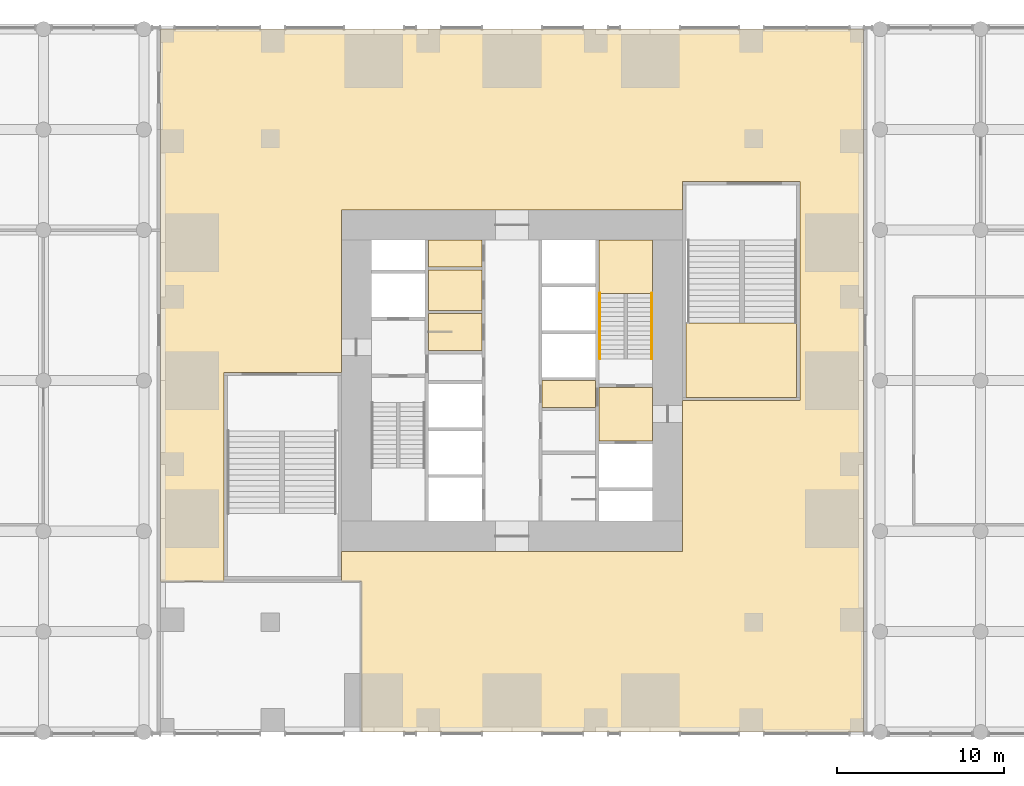
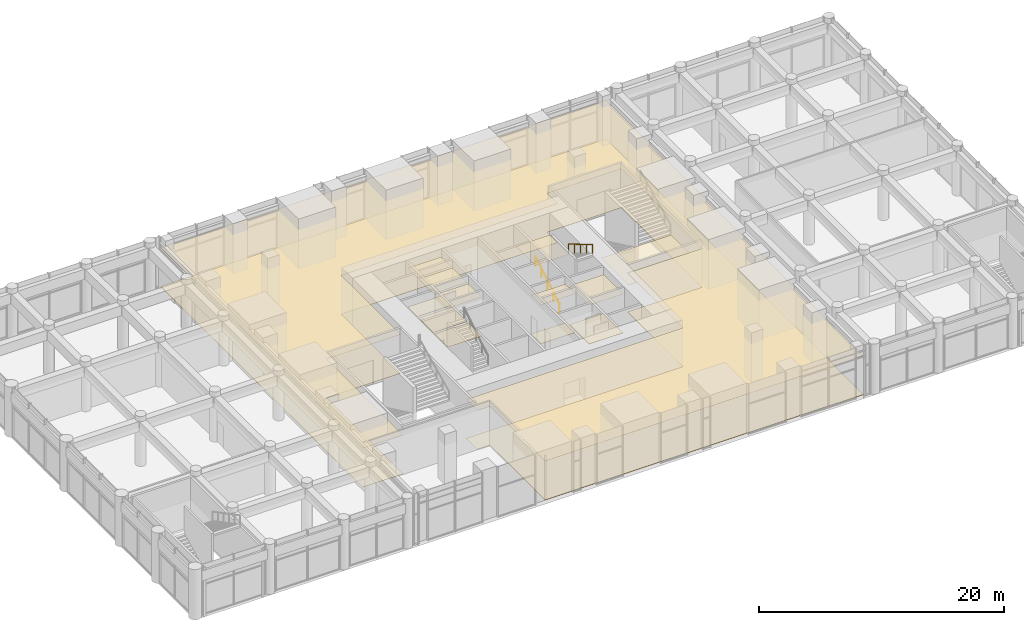
# One storey, part 21 of 23: 14 coverings, 2 railings.
"""IFC4 building model written with IfcOpenShell, lengths in metres."""

import ifcopenshell
import ifcopenshell.guid

model = None  # the IFC model being written
_history = None  # IfcOwnerHistory: only IFC2X3 demands one
_inside = {}  # id of a spatial element -> (the spatial element, [elements in it])
_under = {}  # id of a project, library or spatial element -> (it, [spatial elements below it])
_declared = {}  # id of a project -> (the project, [libraries it declares])
_typed = {}  # id of a type object -> (the type object, [elements of that type])
_made_of = {}  # id of a material, layer set ... -> (it, [elements and type objects made of it])


def new_model(schema):
    """Start an empty IFC model of exactly this schema.

    Asked for "IFC4X3", IfcOpenShell would pick the latest addendum, in which some entities
    have other attributes; the version numbers below select the first issue.
    IFC2X3 requires an IfcOwnerHistory on every rooted entity: one is made here for all.
    """
    global model, _history
    if schema == "IFC4X3":
        model = ifcopenshell.file(schema_version=(4, 3, 0, 0))
    else:
        model = ifcopenshell.file(schema=schema)
    _inside.clear()
    _under.clear()
    _declared.clear()
    _typed.clear()
    _made_of.clear()
    _history = None
    if model.schema == "IFC2X3":
        org = make("IfcOrganization", Name="unknown")
        user = make(
            "IfcPersonAndOrganization",
            ThePerson=make("IfcPerson", FamilyName="unknown"),
            TheOrganization=org,
        )
        app = make(
            "IfcApplication",
            ApplicationDeveloper=org,
            Version="unknown",
            ApplicationFullName="unknown",
            ApplicationIdentifier="unknown",
        )
        _history = make(
            "IfcOwnerHistory",
            OwningUser=user,
            OwningApplication=app,
            ChangeAction="ADDED",
            CreationDate=0,
        )
    return model


def make(cls, **values):
    """One entity of the class cls with the attributes given. An attribute that is None is left unset."""
    return model.create_entity(
        cls, **{name: value for name, value in values.items() if value is not None}
    )


def rooted(cls, **values):
    """An entity with a GlobalId (a new one), such as an element, a storey or a relation."""
    return make(cls, GlobalId=ifcopenshell.guid.new(), OwnerHistory=_history, **values)


def si_unit(unit_type, name, prefix=None):
    """IfcSIUnit, for example si_unit("LENGTHUNIT", "METRE", prefix="MILLI")."""
    return make("IfcSIUnit", UnitType=unit_type, Prefix=prefix, Name=name)


def assignment(units):
    """IfcUnitAssignment: the units of a project."""
    return None if units is None else make("IfcUnitAssignment", Units=units)


def point(xyz):
    """IfcCartesianPoint."""
    return None if xyz is None else make("IfcCartesianPoint", Coordinates=xyz)


def direction(xyz):
    """IfcDirection."""
    return None if xyz is None else make("IfcDirection", DirectionRatios=xyz)


def frame(location, z_axis=None, x_axis=None):
    """IfcAxis2Placement3D, a coordinate frame: its origin and axes. An axis left out is left unset."""
    return make(
        "IfcAxis2Placement3D",
        Location=point(location),
        Axis=direction(z_axis),
        RefDirection=direction(x_axis),
    )


def frame_2d(location, x_axis=None):
    """IfcAxis2Placement2D, a coordinate frame in the plane: its origin and x axis."""
    return make(
        "IfcAxis2Placement2D", Location=point(location), RefDirection=direction(x_axis)
    )


def origin():
    """The frame at (0, 0, 0) with its axes left unset."""
    return frame((0.0, 0.0, 0.0))


def origin_2d():
    """The frame at (0, 0) in the plane with its x axis left unset."""
    return frame_2d((0.0, 0.0))


def place(relative_to, where):
    """IfcLocalPlacement: puts the frame where relative to a parent placement (None: the world)."""
    return make(
        "IfcLocalPlacement", PlacementRelTo=relative_to, RelativePlacement=where
    )


def context(
    kind, dimensions, precision=None, world=None, true_north=None, identifier=None
):
    """IfcGeometricRepresentationContext, for example the 3D "Model" context."""
    return make(
        "IfcGeometricRepresentationContext",
        ContextIdentifier=identifier,
        ContextType=kind,
        CoordinateSpaceDimension=dimensions,
        Precision=precision,
        WorldCoordinateSystem=world,
        TrueNorth=true_north,
    )


def subcontext(parent, identifier, kind, view, scale=None):
    """IfcGeometricRepresentationSubContext, for example "Body" below "Model"."""
    return make(
        "IfcGeometricRepresentationSubContext",
        ContextIdentifier=identifier,
        ContextType=kind,
        ParentContext=parent,
        TargetScale=scale,
        TargetView=view,
    )


def project(units=None, contexts=None):
    """IfcProject with its units and contexts."""
    return rooted(
        "IfcProject",
        Name="project",
        RepresentationContexts=contexts,
        UnitsInContext=assignment(units),
    )


def spatial(cls, under=None, at=None, **own):
    """A site, building, storey or space (cls), placed at a placement, below another one or the project."""
    s = rooted(cls, ObjectPlacement=at, **own)
    if under is not None:
        _under.setdefault(under.id(), (under, []))[1].append(s)
    return s


def polyline(points):
    """IfcPolyline through the points."""
    return make("IfcPolyline", Points=[point(p) for p in points])


def profile(cls, at=None, kind="AREA", **sizes):
    """A parametric profile (cls). Its sizes go by their IFC names, for example OverallWidth=200.0."""
    return make(cls, ProfileType=kind, Position=at, **sizes)


def circle(**sizes):
    """IfcCircleProfileDef."""
    return profile("IfcCircleProfileDef", **sizes)


def outline(outer, holes=None, kind="AREA"):
    """IfcArbitraryClosedProfileDef: a profile drawn as a closed curve; with holes, ...WithVoids."""
    if holes is None:
        return make("IfcArbitraryClosedProfileDef", ProfileType=kind, OuterCurve=outer)
    return make(
        "IfcArbitraryProfileDefWithVoids",
        ProfileType=kind,
        OuterCurve=outer,
        InnerCurves=holes,
    )


def extrude(swept, where, along, depth):
    """IfcExtrudedAreaSolid: the profile swept, set in the frame where, extruded along a direction by depth."""
    return make(
        "IfcExtrudedAreaSolid",
        SweptArea=swept,
        Position=where,
        ExtrudedDirection=direction(along),
        Depth=depth,
    )


def shape(context_of_items, identifier, shape_type, items):
    """IfcShapeRepresentation: the items that make up one representation, for example the "Body"."""
    return make(
        "IfcShapeRepresentation",
        ContextOfItems=context_of_items,
        RepresentationIdentifier=identifier,
        RepresentationType=shape_type,
        Items=items,
    )


def material(Name=None, Category=None):
    """IfcMaterial."""
    return make("IfcMaterial", Name=Name, Category=Category)


def layer(
    of_material, thickness, ventilated=None, Name=None, Category=None, Priority=None
):
    """IfcMaterialLayer: one layer of a wall or slab, of a material (None: an air gap)."""
    return make(
        "IfcMaterialLayer",
        Material=of_material,
        LayerThickness=thickness,
        IsVentilated=ventilated,
        Name=Name,
        Category=Category,
        Priority=Priority,
    )


def layer_set(layers, Name=None):
    """IfcMaterialLayerSet."""
    return make("IfcMaterialLayerSet", MaterialLayers=layers, LayerSetName=Name)


def made_of(thing, what):
    """Note that an element or type object is made of a material, layer set ...; save() writes the relation."""
    if what is not None:
        _made_of.setdefault(what.id(), (what, []))[1].append(thing)
    return thing


def type_object(cls, material=None, **own):
    """A type object (cls), such as IfcWallType, which elements share."""
    return made_of(rooted(cls, **own), material)


def element(
    cls,
    number,
    at=None,
    inside=None,
    cuts=None,
    type_object=None,
    material=None,
    context=None,
    identifier="Body",
    shape_type=None,
    held_by="IfcProductDefinitionShape",
    body=None,
    shapes=None,
    **own,
):
    """One element of the class cls, such as IfcWall. Its Tag is "e" and its number.

    at: its placement. inside: the storey or other place that contains it. cuts: it is an
    opening in that element (IfcRelVoidsElement). A single representation is given by context,
    identifier, shape_type and body (its items); several are given by shapes. held_by: the class
    of the entity that holds the representations. save() writes the other relations.
    """
    e = rooted(cls, Tag="e%d" % number, ObjectPlacement=at, **own)
    if body is not None:
        shapes = [shape(context, identifier, shape_type, body)]
    if shapes is not None:
        e.Representation = make(held_by, Representations=shapes)
    if inside is not None:
        _inside.setdefault(inside.id(), (inside, []))[1].append(e)
    if cuts is not None:
        rooted(
            "IfcRelVoidsElement", RelatingBuildingElement=cuts, RelatedOpeningElement=e
        )
    if type_object is not None:
        _typed.setdefault(type_object.id(), (type_object, []))[1].append(e)
    return made_of(e, material)


def aggregate(whole, parts):
    """IfcRelAggregates: a whole, such as a stair, and the parts it consists of."""
    return rooted("IfcRelAggregates", RelatingObject=whole, RelatedObjects=parts)


def save(model, path):
    """Write the relations noted so far, then the file.

    IfcRelAggregates (storeys below a building ...), IfcRelContainedInSpatialStructure (elements
    in a storey), IfcRelDefinesByType, IfcRelAssociatesMaterial and IfcRelDeclares: one each for
    every whole, place, type object, material and project.
    """
    for whole, parts in _under.values():
        aggregate(whole, parts)
    for where, things in _inside.values():
        rooted(
            "IfcRelContainedInSpatialStructure",
            RelatedElements=things,
            RelatingStructure=where,
        )
    for kind, things in _typed.values():
        rooted("IfcRelDefinesByType", RelatedObjects=things, RelatingType=kind)
    for what, things in _made_of.values():
        rooted("IfcRelAssociatesMaterial", RelatedObjects=things, RelatingMaterial=what)
    for by, libraries in _declared.values():
        rooted("IfcRelDeclares", RelatingContext=by, RelatedDefinitions=libraries)
    model.write(path)


model = new_model("IFC4")

# Units and contexts
model_context = context("Model", 3, precision=1e-05, world=origin(), true_north=direction((0.0, 1.0)))
body_context = subcontext(model_context, "Body", "Model", "MODEL_VIEW")
ifc_project = project(units=[si_unit("LENGTHUNIT", "METRE"), si_unit("AREAUNIT", "SQUARE_METRE"), si_unit("VOLUMEUNIT", "CUBIC_METRE"), si_unit("PLANEANGLEUNIT", "RADIAN"), si_unit("MASSUNIT", "GRAM", prefix="KILO")], contexts=[model_context])

# Site, building, storey
site_placement = place(None, origin())
site = spatial("IfcSite", under=ifc_project, at=site_placement, CompositionType="ELEMENT")
building_placement = place(site_placement, origin())
building = spatial("IfcBuilding", under=site, at=building_placement, Name="Svetlomir Tower", CompositionType="ELEMENT")
storey_placement = place(building_placement, frame((0.0, 0.0, 6.0)))
storey = spatial("IfcBuildingStorey", under=building, at=storey_placement, Name="L01", CompositionType="ELEMENT", Elevation=6.0)

# Coverings
ifc_material_1 = material(Name="Ceramic floor tile", Category="ceramic")
ifc_layer_1 = layer(ifc_material_1, 0.014892578125)
ifc_layer_set_1 = layer_set([ifc_layer_1], Name="Ceramic floor tile")
covering_type_1 = type_object("IfcCoveringType", Name="CERAMIC TILE FLOOR 15", PredefinedType="FLOORING", material=ifc_layer_set_1)
covering_1_placement = place(storey_placement, origin())
element("IfcCovering", 1, at=covering_1_placement, inside=storey, type_object=covering_type_1, Name="Floor finish L01-04", PredefinedType="FLOORING", context=body_context, shape_type="SweptSolid", body=[
    extrude(outline(polyline([(16.0, 22.800048828125), (19.199951171875, 22.800048828125), (19.199951171875, 25.0), (16.0, 25.0), (16.0, 22.800048828125)])), origin(), (0.0, 0.0, 1.0), 0.014892578125),
])
covering_2_placement = place(storey_placement, origin())
element("IfcCovering", 2, at=covering_2_placement, inside=storey, type_object=covering_type_1, Name="Floor finish L01-05", PredefinedType="FLOORING", context=body_context, shape_type="SweptSolid", body=[
    extrude(outline(polyline([(16.0, 25.199951171875), (19.199951171875, 25.199951171875), (19.199951171875, 27.60009765625), (16.0, 27.60009765625), (16.0, 25.199951171875)])), origin(), (0.0, 0.0, 1.0), 0.014892578125),
])

# Railings
ifc_material_2 = material(Name="Stainless steel", Category="steel")
railing_type = type_object("IfcRailingType", Name="HANDRAIL HR1 900", PredefinedType="HANDRAIL", material=ifc_material_2)
railing_1_placement = place(storey_placement, frame((26.25, 22.300048828125, 0.166748046875)))
element("IfcRailing", 3, at=railing_1_placement, inside=storey, type_object=railing_type, Name="Handrail S2 flight 1 L01", PredefinedType="HANDRAIL", context=body_context, shape_type="SweptSolid", body=[
    extrude(circle(Radius=0.02392578125, at=origin_2d()), frame((0.0, 0.0, 0.8759765625), z_axis=(0.0, 0.859296244711, 0.511478214419), x_axis=(-1.0, 0.0, 0.0)), (0.0, 0.0, 1.0), 4.561767578125),
    extrude(circle(Radius=0.02099609375, at=origin_2d()), origin(), (0.0, 0.0, 1.0), 0.851806640625),
    extrude(circle(Radius=0.02099609375, at=origin_2d()), frame((0.0, 0.97998046875, 0.583251953125)), (0.0, 0.0, 1.0), 0.851806640625),
    extrude(circle(Radius=0.02099609375, at=origin_2d()), frame((0.0, 1.9599609375, 1.16650390625)), (0.0, 0.0, 1.0), 0.851806640625),
    extrude(circle(Radius=0.02099609375, at=origin_2d()), frame((0.0, 2.93994140625, 1.75)), (0.0, 0.0, 1.0), 0.851806640625),
    extrude(circle(Radius=0.02099609375, at=origin_2d()), frame((0.0, 3.919921875, 2.333251953125)), (0.0, 0.0, 1.0), 0.851806640625),
])
railing_2_placement = place(storey_placement, frame((29.35009765625, 26.219970703125, 2.666748046875)))
element("IfcRailing", 4, at=railing_2_placement, inside=storey, type_object=railing_type, Name="Handrail S2 flight 2 L01", PredefinedType="HANDRAIL", context=body_context, shape_type="SweptSolid", body=[
    extrude(circle(Radius=0.02392578125, at=origin_2d()), frame((0.0, 0.0, 0.8759765625), z_axis=(0.0, -0.859296244711, 0.511478214419), x_axis=(1.0, 0.0, 0.0)), (0.0, 0.0, 1.0), 4.561767578125),
    extrude(circle(Radius=0.02099609375, at=origin_2d()), origin(), (0.0, 0.0, 1.0), 0.851806640625),
    extrude(circle(Radius=0.02099609375, at=origin_2d()), frame((0.0, -0.97998046875, 0.583251953125)), (0.0, 0.0, 1.0), 0.851806640625),
    extrude(circle(Radius=0.02099609375, at=origin_2d()), frame((0.0, -1.9599609375, 1.16650390625)), (0.0, 0.0, 1.0), 0.851806640625),
    extrude(circle(Radius=0.02099609375, at=origin_2d()), frame((0.0, -2.93994140625, 1.75)), (0.0, 0.0, 1.0), 0.851806640625),
    extrude(circle(Radius=0.02099609375, at=origin_2d()), frame((0.0, -3.919921875, 2.333251953125)), (0.0, 0.0, 1.0), 0.851806640625),
])

# Coverings
ifc_material_3 = material(Name="Moisture resistant plasterboard ceiling", Category="gypsum")
ifc_layer_2 = layer(ifc_material_3, 0.012451171875)
ifc_layer_set_2 = layer_set([ifc_layer_2], Name="Moisture resistant plasterboard ceiling")
covering_type_2 = type_object("IfcCoveringType", Name="MOISTURE RESISTANT CEILING 12.5", PredefinedType="CEILING", material=ifc_layer_set_2)
covering_3_placement = place(storey_placement, frame((0.0, 0.0, 3.887451171875)))
element("IfcCovering", 5, at=covering_3_placement, inside=storey, type_object=covering_type_2, Name="Ceiling L01-04", PredefinedType="CEILING", context=body_context, shape_type="SweptSolid", body=[
    extrude(outline(polyline([(16.0, 22.800048828125), (19.199951171875, 22.800048828125), (19.199951171875, 25.0), (16.0, 25.0), (16.0, 22.800048828125)])), origin(), (0.0, 0.0, 1.0), 0.012451171875),
])
covering_4_placement = place(storey_placement, frame((0.0, 0.0, 3.887451171875)))
element("IfcCovering", 6, at=covering_4_placement, inside=storey, type_object=covering_type_2, Name="Ceiling L01-05", PredefinedType="CEILING", context=body_context, shape_type="SweptSolid", body=[
    extrude(outline(polyline([(16.0, 25.199951171875), (19.199951171875, 25.199951171875), (19.199951171875, 27.60009765625), (16.0, 27.60009765625), (16.0, 25.199951171875)])), origin(), (0.0, 0.0, 1.0), 0.012451171875),
])
ifc_material_4 = material(Name="Gypsum plasterboard ceiling", Category="gypsum")
ifc_layer_3 = layer(ifc_material_4, 0.014892578125)
ifc_layer_set_3 = layer_set([ifc_layer_3], Name="Gypsum plasterboard ceiling")
covering_type_3 = type_object("IfcCoveringType", Name="PLASTERBOARD CEILING 15", PredefinedType="CEILING", material=ifc_layer_set_3)
covering_5_placement = place(storey_placement, frame((0.0, 0.0, 3.885009765625)))
element("IfcCovering", 7, at=covering_5_placement, inside=storey, type_object=covering_type_3, Name="Ceiling L01-06", PredefinedType="CEILING", context=body_context, shape_type="SweptSolid", body=[
    extrude(outline(polyline([(16.0, 27.800048828125), (19.199951171875, 27.800048828125), (19.199951171875, 29.39990234375), (16.0, 29.39990234375), (16.0, 27.800048828125)])), origin(), (0.0, 0.0, 1.0), 0.014892578125),
])
covering_6_placement = place(storey_placement, frame((0.0, 0.0, 3.885009765625)))
element("IfcCovering", 8, at=covering_6_placement, inside=storey, type_object=covering_type_3, Name="Ceiling L01-10", PredefinedType="CEILING", context=body_context, shape_type="SweptSolid", body=[
    extrude(outline(polyline([(22.800048828125, 19.39990234375), (26.0, 19.39990234375), (26.0, 21.0), (22.800048828125, 21.0), (22.800048828125, 19.39990234375)])), origin(), (0.0, 0.0, 1.0), 0.014892578125),
])
covering_7_placement = place(storey_placement, frame((0.0, 0.0, 3.885009765625)))
element("IfcCovering", 9, at=covering_7_placement, inside=storey, type_object=covering_type_3, Name="Ceiling L01-11", PredefinedType="CEILING", context=body_context, shape_type="SweptSolid", body=[
    extrude(outline(polyline([(26.199951171875, 17.39990234375), (29.39990234375, 17.39990234375), (29.39990234375, 20.60009765625), (26.199951171875, 20.60009765625), (26.199951171875, 17.39990234375)])), origin(), (0.0, 0.0, 1.0), 0.014892578125),
])
covering_8_placement = place(storey_placement, frame((0.0, 0.0, 3.885009765625)))
element("IfcCovering", 10, at=covering_8_placement, inside=storey, type_object=covering_type_3, Name="Ceiling L01-23", PredefinedType="CEILING", context=body_context, shape_type="SweptSolid", body=[
    extrude(outline(polyline([(0.0, 42.0), (42.0, 42.0), (42.0, 0.0), (12.0, 0.0), (12.0, 9.0), (10.800048828125, 9.0), (10.800048828125, 10.800048828125), (31.199951171875, 10.800048828125), (31.199951171875, 19.800048828125), (38.199951171875, 19.800048828125), (38.199951171875, 32.89990234375), (31.199951171875, 32.89990234375), (31.199951171875, 31.199951171875), (10.800048828125, 31.199951171875), (10.800048828125, 21.5), (3.800048828125, 21.5), (3.800048828125, 9.0), (0.0, 9.0), (0.0, 42.0)])), origin(), (0.0, 0.0, 1.0), 0.014892578125),
])
ifc_material_5 = material(Name="Studded rubber floor finish", Category="rubber")
ifc_layer_4 = layer(ifc_material_5, 0.006103515625)
ifc_layer_set_4 = layer_set([ifc_layer_4], Name="Studded rubber floor finish")
covering_type_4 = type_object("IfcCoveringType", Name="RUBBER LANDING FINISH 6", PredefinedType="FLOORING", material=ifc_layer_set_4)
covering_9_placement = place(storey_placement, frame((0.0, 0.0, 2.5)))
element("IfcCovering", 11, at=covering_9_placement, inside=storey, type_object=covering_type_4, Name="Stair S2 landing finish L01", PredefinedType="FLOORING", context=body_context, shape_type="SweptSolid", body=[
    extrude(outline(polyline([(26.199951171875, 26.219970703125), (29.39990234375, 26.219970703125), (29.39990234375, 29.39990234375), (26.199951171875, 29.39990234375), (26.199951171875, 26.219970703125)])), origin(), (0.0, 0.0, 1.0), 0.006103515625),
])
covering_10_placement = place(storey_placement, frame((0.0, 0.0, 2.5)))
element("IfcCovering", 12, at=covering_10_placement, inside=storey, type_object=covering_type_4, Name="Stair P2 landing finish L01", PredefinedType="FLOORING", context=body_context, shape_type="SweptSolid", body=[
    extrude(outline(polyline([(31.39990234375, 20.0), (38.0, 20.0), (38.0, 24.449951171875), (31.39990234375, 24.449951171875), (31.39990234375, 20.0)])), origin(), (0.0, 0.0, 1.0), 0.006103515625),
])
ifc_material_6 = material(Name="Bronze-aggregate terrazzo", Category="stone")
ifc_layer_5 = layer(ifc_material_6, 0.030029296875)
ifc_layer_set_5 = layer_set([ifc_layer_5], Name="Bronze-aggregate terrazzo")
covering_type_5 = type_object("IfcCoveringType", Name="TERRAZZO FLOOR 30", PredefinedType="FLOORING", material=ifc_layer_set_5)
covering_11_placement = place(storey_placement, origin())
element("IfcCovering", 13, at=covering_11_placement, inside=storey, type_object=covering_type_5, Name="Floor finish L01-06", PredefinedType="FLOORING", context=body_context, shape_type="SweptSolid", body=[
    extrude(outline(polyline([(16.0, 27.800048828125), (19.199951171875, 27.800048828125), (19.199951171875, 29.39990234375), (16.0, 29.39990234375), (16.0, 27.800048828125)])), origin(), (0.0, 0.0, 1.0), 0.030029296875),
])
covering_12_placement = place(storey_placement, origin())
element("IfcCovering", 14, at=covering_12_placement, inside=storey, type_object=covering_type_5, Name="Floor finish L01-10", PredefinedType="FLOORING", context=body_context, shape_type="SweptSolid", body=[
    extrude(outline(polyline([(22.800048828125, 19.39990234375), (26.0, 19.39990234375), (26.0, 21.0), (22.800048828125, 21.0), (22.800048828125, 19.39990234375)])), origin(), (0.0, 0.0, 1.0), 0.030029296875),
])
covering_13_placement = place(storey_placement, origin())
element("IfcCovering", 15, at=covering_13_placement, inside=storey, type_object=covering_type_5, Name="Floor finish L01-11", PredefinedType="FLOORING", context=body_context, shape_type="SweptSolid", body=[
    extrude(outline(polyline([(26.199951171875, 17.39990234375), (29.39990234375, 17.39990234375), (29.39990234375, 20.60009765625), (26.199951171875, 20.60009765625), (26.199951171875, 17.39990234375)])), origin(), (0.0, 0.0, 1.0), 0.030029296875),
])
covering_14_placement = place(storey_placement, origin())
element("IfcCovering", 16, at=covering_14_placement, inside=storey, type_object=covering_type_5, Name="Floor finish L01-23", PredefinedType="FLOORING", context=body_context, shape_type="SweptSolid", body=[
    extrude(outline(polyline([(0.0, 42.0), (42.0, 42.0), (42.0, 0.0), (12.0, 0.0), (12.0, 9.0), (10.800048828125, 9.0), (10.800048828125, 10.800048828125), (31.199951171875, 10.800048828125), (31.199951171875, 19.800048828125), (38.199951171875, 19.800048828125), (38.199951171875, 32.89990234375), (31.199951171875, 32.89990234375), (31.199951171875, 31.199951171875), (10.800048828125, 31.199951171875), (10.800048828125, 21.5), (3.800048828125, 21.5), (3.800048828125, 9.0), (0.0, 9.0), (0.0, 42.0)])), origin(), (0.0, 0.0, 1.0), 0.030029296875),
])

save(model, "model.ifc")
